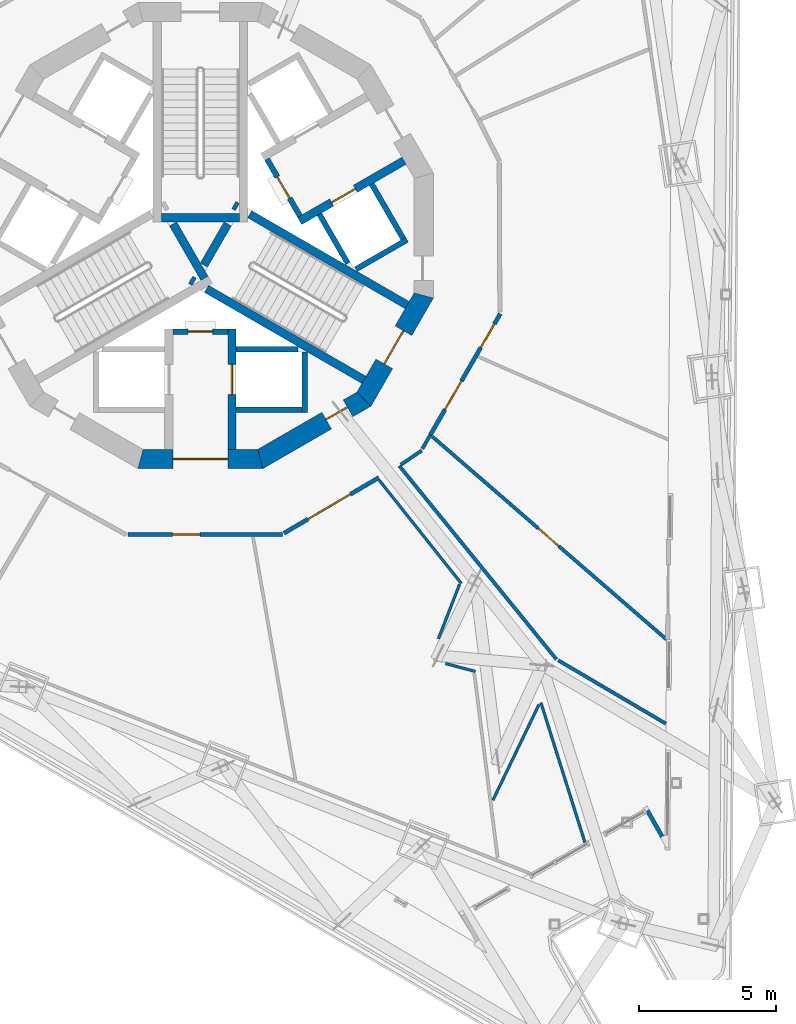
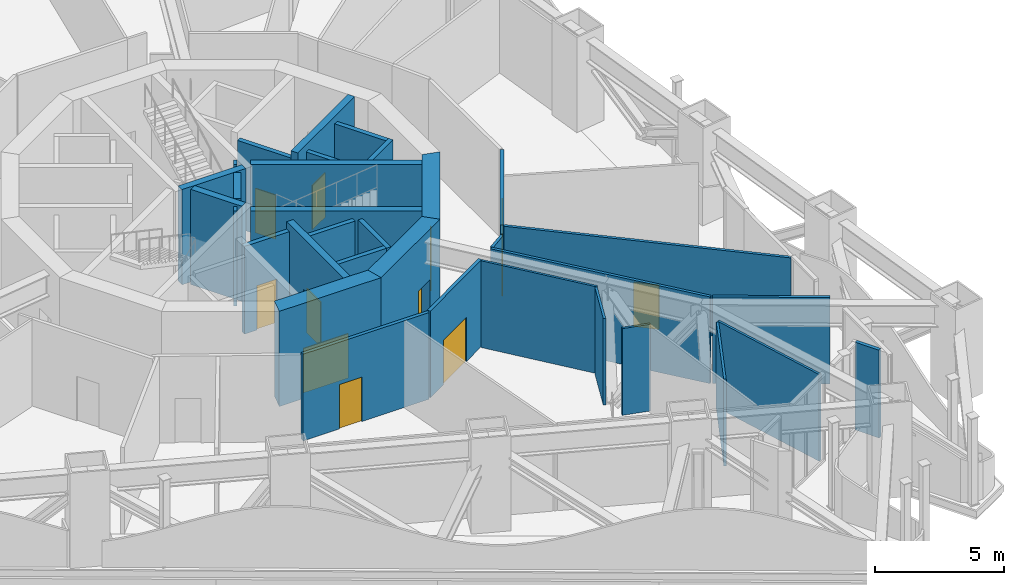
# One storey, part 13 of 27: 34 walls, 12 doors, 12 openings.
"""IFC4 building model written with IfcOpenShell, lengths in metres."""

from ifc_helpers import new_model, si_unit, direction, frame, frame_2d, origin, place, context, subcontext, project, spatial, polyline, rectangle, outline, extrude, material, layer, layer_set, type_object, element, fill, save


model = new_model("IFC4")

# Units and contexts
model_context = context("Model", 3, precision=1e-05, world=origin(), true_north=direction((0.0, 1.0)))
body_context = subcontext(model_context, "Body", "Model", "MODEL_VIEW")
ifc_project = project(units=[si_unit("LENGTHUNIT", "METRE"), si_unit("AREAUNIT", "SQUARE_METRE"), si_unit("VOLUMEUNIT", "CUBIC_METRE"), si_unit("PLANEANGLEUNIT", "RADIAN"), si_unit("MASSUNIT", "GRAM", prefix="KILO")], contexts=[model_context])

# Site, building, storey
site_placement = place(None, origin())
site = spatial("IfcSite", under=ifc_project, at=site_placement, CompositionType="ELEMENT")
building_placement = place(site_placement, origin())
building = spatial("IfcBuilding", under=site, at=building_placement, Name="Trine Commons Tower", CompositionType="ELEMENT")
storey_placement = place(building_placement, frame((0.0, 0.0, 193.5)))
storey = spatial("IfcBuildingStorey", under=building, at=storey_placement, Name="L50", CompositionType="ELEMENT", Elevation=193.5)

# Wall, opening, door
ifc_material_1 = material(Name="Plasterboard on steel stud", Category="steel")
ifc_layer_1 = layer(ifc_material_1, 0.14990234375)
ifc_layer_set_1 = layer_set([ifc_layer_1], Name="Plasterboard on steel stud")
wall_type_1 = type_object("IfcWallType", Name="Compartment wall 150 mm, EI 60", PredefinedType="PARTITIONING", material=ifc_layer_set_1)
wall_1_placement = place(storey_placement, frame((77.359130859375, 51.599853515625, 0.0), z_axis=(0.0, 0.0, 1.0), x_axis=(1.0, 0.0, 0.0)))
wall_1 = element("IfcWall", 1, at=wall_1_placement, inside=storey, type_object=wall_type_1, Name="Partition A50024", PredefinedType="PARTITIONING", context=body_context, shape_type="SweptSolid", body=[
    extrude(rectangle(XDim=5.636474609375, YDim=0.14990234375, at=frame_2d((2.818359375, 0.0))), origin(), (0.0, 0.0, 1.0), 4.10009765625),
])
opening_1_placement = place(wall_1_placement, frame((1.63232421875, 0.0, 0.0)))
opening_1 = element("IfcOpeningElement", 2, at=opening_1_placement, cuts=wall_1, Name="Opening D-A5006", PredefinedType="OPENING", context=body_context, shape_type="SweptSolid", body=[
    extrude(rectangle(XDim=1.0, YDim=2.10009765625, at=frame_2d((0.5, 1.050048828125))), frame((0.0, 0.0849609375, 0.0), z_axis=(0.0, -1.0, 0.0), x_axis=(1.0, 0.0, 0.0)), (0.0, 0.0, 1.0), 0.169921875),
])
ifc_material_2 = material(Name="Timber fire door set", Category="wood")
door_type_1 = type_object("IfcDoorType", Name="Single swing door 1000x2100, FD30S", OperationType="SINGLE_SWING_LEFT", PredefinedType="DOOR", material=ifc_material_2)
door_1_placement = place(opening_1_placement, origin())
door_1 = element("IfcDoor", 3, at=door_1_placement, inside=storey, type_object=door_type_1, Name="Door D-A5006", OperationType="SINGLE_SWING_LEFT", OverallHeight=2.10009765625, OverallWidth=1.0, PredefinedType="DOOR", context=body_context, shape_type="SweptSolid", body=[
    extrude(rectangle(XDim=1.0, YDim=2.10009765625, at=frame_2d((0.5, 1.050048828125))), frame((0.0, 0.02490234375, 0.0), z_axis=(0.0, -1.0, 0.0), x_axis=(1.0, 0.0, 0.0)), (0.0, 0.0, 1.0), 0.050048828125),
])
fill(opening_1, door_1)

wall_2_placement = place(storey_placement, frame((83.04931640625, 51.644775390625, 0.0), z_axis=(0.0, 0.0, 1.0), x_axis=(0.862832544364, 0.505489861804, 0.0)))
wall_2 = element("IfcWall", 4, at=wall_2_placement, inside=storey, type_object=wall_type_1, Name="Partition A50030", PredefinedType="PARTITIONING", context=body_context, shape_type="SweptSolid", body=[
    extrude(rectangle(XDim=4.01123046875, YDim=0.14990234375, at=frame_2d((2.005615234375, 0.0))), origin(), (0.0, 0.0, 1.0), 4.10009765625),
])
opening_2_placement = place(wall_2_placement, frame((1.013671875, 0.0, 0.0)))
opening_2 = element("IfcOpeningElement", 5, at=opening_2_placement, cuts=wall_2, Name="Opening D-A5008", PredefinedType="OPENING", context=body_context, shape_type="SweptSolid", body=[
    extrude(rectangle(XDim=1.800048828125, YDim=2.10009765625, at=frame_2d((0.89990234375, 1.050048828125))), frame((0.0, 0.0849609375, 0.0), z_axis=(0.0, -1.0, 0.0), x_axis=(1.0, 0.0, 0.0)), (0.0, 0.0, 1.0), 0.169921875),
])
door_type_2 = type_object("IfcDoorType", Name="Double swing door 1800x2100, FD30S", OperationType="DOUBLE_DOOR_DOUBLE_SWING", PredefinedType="DOOR", material=ifc_material_2)
door_2_placement = place(opening_2_placement, origin())
door_2 = element("IfcDoor", 6, at=door_2_placement, inside=storey, type_object=door_type_2, Name="Door D-A5008", OperationType="DOUBLE_DOOR_DOUBLE_SWING", OverallHeight=2.10009765625, OverallWidth=1.800048828125, PredefinedType="DOOR", context=body_context, shape_type="SweptSolid", body=[
    extrude(rectangle(XDim=1.800048828125, YDim=2.10009765625, at=frame_2d((0.89990234375, 1.050048828125))), frame((0.0, 0.02490234375, 0.0), z_axis=(0.0, -1.0, 0.0), x_axis=(1.0, 0.0, 0.0)), (0.0, 0.0, 1.0), 0.050048828125),
])
fill(opening_2, door_2)

# Wall, openings, doors
wall_3_placement = place(storey_placement, frame((90.937744140625, 59.644287109375, 0.0), z_axis=(0.0, 0.0, 1.0), x_axis=(-0.500023778256, -0.866011674967, 0.0)))
wall_3 = element("IfcWall", 7, at=wall_3_placement, inside=storey, type_object=wall_type_1, Name="Partition A50044", PredefinedType="PARTITIONING", context=body_context, shape_type="SweptSolid", body=[
    extrude(rectangle(XDim=5.096435546875, YDim=0.14990234375, at=frame_2d((2.54833984375, 0.0))), origin(), (0.0, 0.0, 1.0), 4.10009765625),
])
opening_3_placement = place(wall_3_placement, frame((2.830322265625, 0.0, 0.0)))
opening_3 = element("IfcOpeningElement", 8, at=opening_3_placement, cuts=wall_3, Name="Opening D-A5011", PredefinedType="OPENING", context=body_context, shape_type="SweptSolid", body=[
    extrude(rectangle(XDim=1.199951171875, YDim=2.10009765625, at=frame_2d((0.60009765625, 1.050048828125))), frame((0.0, 0.0849609375, 0.0), z_axis=(0.0, -1.0, 0.0), x_axis=(1.0, 0.0, 0.0)), (0.0, 0.0, 1.0), 0.169921875),
])
opening_4_placement = place(wall_3_placement, frame((0.419921875, 0.0, 0.0)))
opening_4 = element("IfcOpeningElement", 9, at=opening_4_placement, cuts=wall_3, Name="Opening D-A5012", PredefinedType="OPENING", context=body_context, shape_type="SweptSolid", body=[
    extrude(rectangle(XDim=1.0, YDim=2.10009765625, at=frame_2d((0.5, 1.050048828125))), frame((0.0, 0.0849609375, 0.0), z_axis=(0.0, -1.0, 0.0), x_axis=(1.0, 0.0, 0.0)), (0.0, 0.0, 1.0), 0.169921875),
])
door_3_placement = place(opening_4_placement, origin())
door_3 = element("IfcDoor", 10, at=door_3_placement, inside=storey, type_object=door_type_1, Name="Door D-A5012", OperationType="SINGLE_SWING_LEFT", OverallHeight=2.10009765625, OverallWidth=1.0, PredefinedType="DOOR", context=body_context, shape_type="SweptSolid", body=[
    extrude(rectangle(XDim=1.0, YDim=2.10009765625, at=frame_2d((0.5, 1.050048828125))), frame((0.0, 0.02490234375, 0.0), z_axis=(0.0, -1.0, 0.0), x_axis=(1.0, 0.0, 0.0)), (0.0, 0.0, 1.0), 0.050048828125),
])
fill(opening_4, door_3)
door_type_3 = type_object("IfcDoorType", Name="Single swing door 1200x2100, FD30S", OperationType="SINGLE_SWING_LEFT", PredefinedType="DOOR", material=ifc_material_2)
door_4_placement = place(opening_3_placement, origin())
door_4 = element("IfcDoor", 11, at=door_4_placement, inside=storey, type_object=door_type_3, Name="Door D-A5011", OperationType="SINGLE_SWING_LEFT", OverallHeight=2.10009765625, OverallWidth=1.199951171875, PredefinedType="DOOR", context=body_context, shape_type="SweptSolid", body=[
    extrude(rectangle(XDim=1.199951171875, YDim=2.10009765625, at=frame_2d((0.60009765625, 1.050048828125))), frame((0.0, 0.02490234375, 0.0), z_axis=(0.0, -1.0, 0.0), x_axis=(1.0, 0.0, 0.0)), (0.0, 0.0, 1.0), 0.050048828125),
])
fill(opening_3, door_4)

# Wall
ifc_material_3 = material(Name="Aluminium-framed insulated wall panel", Category="aluminium")
ifc_layer_2 = layer(ifc_material_3, 0.14990234375)
ifc_layer_set_2 = layer_set([ifc_layer_2], Name="Aluminium-framed insulated wall panel")
wall_type_2 = type_object("IfcWallType", Name="Glazed frame wall 150, EI 60", PredefinedType="SOLIDWALL", material=ifc_layer_set_2)
wall_4_placement = place(storey_placement, frame((96.91552734375, 40.450927734375, 0.0), z_axis=(0.0, 0.0, 1.0), x_axis=(-0.492439994984, 0.870346397327, 0.0)))
element("IfcWall", 12, at=wall_4_placement, inside=storey, type_object=wall_type_2, Name="Glazed frame wall L50 R9", PredefinedType="SOLIDWALL", context=body_context, shape_type="SweptSolid", body=[
    extrude(outline(polyline([(0.1494140625, 0.074951171875), (0.1494140625, -0.074951171875), (1.235107421875, -0.074951171875), (1.235107421875, 0.074951171875), (0.1494140625, 0.074951171875)])), origin(), (0.0, 0.0, 1.0), 4.14990234375),
])

# Wall, opening, door
ifc_material_4 = material(Name="Fire-rated gypsum shaft wall system")
ifc_layer_3 = layer(ifc_material_4, 0.199951171875)
ifc_layer_set_3 = layer_set([ifc_layer_3], Name="Fire-rated gypsum shaft wall system")
wall_type_3 = type_object("IfcWallType", Name="Lobby end wall 200 mm, EI 120", PredefinedType="PARTITIONING", material=ifc_layer_set_3)
wall_5_placement = place(storey_placement, frame((79.0, 59.0, 0.0), z_axis=(0.0, 0.0, 1.0), x_axis=(1.0, 0.0, 0.0)))
wall_5 = element("IfcWall", 13, at=wall_5_placement, inside=storey, type_object=wall_type_3, Name="Lobby end wall L50", PredefinedType="PARTITIONING", context=body_context, shape_type="SweptSolid", body=[
    extrude(rectangle(XDim=2.0, YDim=0.199951171875, at=frame_2d((1.0, 0.0))), origin(), (0.0, 0.0, 1.0), 4.14990234375),
])
opening_5_placement = place(wall_5_placement, frame((0.550048828125, 0.0, 0.0)))
opening_5 = element("IfcOpeningElement", 14, at=opening_5_placement, cuts=wall_5, Name="Opening K14.09", PredefinedType="OPENING", context=body_context, shape_type="SweptSolid", body=[
    extrude(rectangle(XDim=0.89990234375, YDim=2.10009765625, at=frame_2d((0.449951171875, 1.050048828125))), frame((0.0, 0.10986328125, 0.0), z_axis=(0.0, -1.0, 0.0), x_axis=(1.0, 0.0, 0.0)), (0.0, 0.0, 1.0), 0.219970703125),
])
ifc_material_5 = material(Name="Steel door leaf, fire-rated", Category="steel")
door_type_4 = type_object("IfcDoorType", Name="Riser access door, single leaf 900 x 2100, FD60", OperationType="SINGLE_SWING_LEFT", PredefinedType="DOOR", material=ifc_material_5)
door_5_placement = place(opening_5_placement, frame((0.89990234375, 0.0, 0.0), z_axis=(0.0, 0.0, 1.0), x_axis=(-1.0, 0.0, 0.0)))
door_5 = element("IfcDoor", 15, at=door_5_placement, inside=storey, type_object=door_type_4, Name="Riser door, Communications riser L50", OperationType="SINGLE_SWING_RIGHT", OverallHeight=2.10009765625, OverallWidth=0.89990234375, PredefinedType="DOOR", context=body_context, shape_type="SweptSolid", body=[
    extrude(rectangle(XDim=0.89990234375, YDim=2.10009765625, at=frame_2d((0.449951171875, 1.050048828125))), frame((0.0, 0.02490234375, 0.0), z_axis=(0.0, -1.0, 0.0), x_axis=(1.0, 0.0, 0.0)), (0.0, 0.0, 1.0), 0.050048828125),
])
fill(opening_5, door_5)

wall_6_placement = place(storey_placement, frame((83.631103515625, 63.2109375, 0.0), z_axis=(0.0, 0.0, 1.0), x_axis=(-0.50012165622, 0.865955154139, 0.0)))
wall_6 = element("IfcWall", 16, at=wall_6_placement, inside=storey, type_object=wall_type_3, Name="Lobby end wall L50", PredefinedType="PARTITIONING", context=body_context, shape_type="SweptSolid", body=[
    extrude(rectangle(XDim=2.39990234375, YDim=0.199951171875, at=frame_2d((1.199951171875, 0.0))), origin(), (0.0, 0.0, 1.0), 4.14990234375),
])
opening_6_placement = place(wall_6_placement, frame((0.749755859375, 0.0, 0.0)))
opening_6 = element("IfcOpeningElement", 17, at=opening_6_placement, cuts=wall_6, Name="Opening K14.05", PredefinedType="OPENING", context=body_context, shape_type="SweptSolid", body=[
    extrude(rectangle(XDim=0.89990234375, YDim=2.10009765625, at=frame_2d((0.449951171875, 1.050048828125))), frame((0.0, 0.10986328125, 0.0), z_axis=(0.0, -1.0, 0.0), x_axis=(1.0, 0.0, 0.0)), (0.0, 0.0, 1.0), 0.219970703125),
])
door_6_placement = place(opening_6_placement, frame((0.89990234375, 0.0, 0.0), z_axis=(0.0, 0.0, 1.0), x_axis=(-1.0, 0.0, 0.0)))
door_6 = element("IfcDoor", 18, at=door_6_placement, inside=storey, type_object=door_type_4, Name="Riser door, Electrical riser L50", OperationType="SINGLE_SWING_LEFT", OverallHeight=2.10009765625, OverallWidth=0.89990234375, PredefinedType="DOOR", context=body_context, shape_type="SweptSolid", body=[
    extrude(rectangle(XDim=0.89990234375, YDim=2.10009765625, at=frame_2d((0.449951171875, 1.050048828125))), frame((0.0, 0.02490234375, 0.0), z_axis=(0.0, -1.0, 0.0), x_axis=(1.0, 0.0, 0.0)), (0.0, 0.0, 1.0), 0.050048828125),
])
fill(opening_6, door_6)

# Walls
ifc_layer_4 = layer(ifc_material_1, 0.10009765625)
ifc_layer_set_4 = layer_set([ifc_layer_4], Name="Plasterboard on steel stud")
wall_type_4 = type_object("IfcWallType", Name="Partition wall 100 mm stud, not rated", PredefinedType="PARTITIONING", material=ifc_layer_set_4)
wall_7_placement = place(storey_placement, frame((86.52001953125, 53.580322265625, 0.0), z_axis=(0.0, 0.0, 1.0), x_axis=(0.622511576867, -0.782610590694, 0.0)))
element("IfcWall", 19, at=wall_7_placement, inside=storey, type_object=wall_type_4, Name="Partition A50036", PredefinedType="PARTITIONING", context=body_context, shape_type="SweptSolid", body=[
    extrude(rectangle(XDim=4.81884765625, YDim=0.10009765625, at=frame_2d((2.409423828125, 0.0))), origin(), (0.0, 0.0, 1.0), 4.10009765625),
])
wall_8_placement = place(storey_placement, frame((88.682861328125, 47.79248046875, 0.0), z_axis=(0.0, 0.0, 1.0), x_axis=(0.362042364374, 0.932161641776, 0.0)))
element("IfcWall", 20, at=wall_8_placement, inside=storey, type_object=wall_type_4, Name="Partition A50042", PredefinedType="PARTITIONING", context=body_context, shape_type="SweptSolid", body=[
    extrude(rectangle(XDim=2.129638671875, YDim=0.10009765625, at=frame_2d((1.06494140625, 0.0))), origin(), (0.0, 0.0, 1.0), 4.10009765625),
])
wall_9_placement = place(storey_placement, frame((88.9404296875, 46.889892578125, 0.0), z_axis=(0.0, 0.0, 1.0), x_axis=(0.966852929398, -0.255333924333, 0.0)))
element("IfcWall", 21, at=wall_9_placement, inside=storey, type_object=wall_type_4, Name="Partition A50050", PredefinedType="PARTITIONING", context=body_context, shape_type="SweptSolid", body=[
    extrude(rectangle(XDim=1.129150390625, YDim=0.10009765625, at=frame_2d((0.564453125, 0.0))), origin(), (0.0, 0.0, 1.0), 4.10009765625),
])
wall_10_placement = place(storey_placement, frame((90.669189453125, 41.90234375, 0.0), z_axis=(0.0, 0.0, 1.0), x_axis=(0.433923470881, 0.900949733014, 0.0)))
element("IfcWall", 22, at=wall_10_placement, inside=storey, type_object=wall_type_4, Name="Partition A50059", PredefinedType="PARTITIONING", context=body_context, shape_type="SweptSolid", body=[
    extrude(rectangle(XDim=3.87939453125, YDim=0.10009765625, at=frame_2d((1.939697265625, 0.0))), origin(), (0.0, 0.0, 1.0), 4.10009765625),
])
wall_11_placement = place(storey_placement, frame((92.4228515625, 45.45849609375, 0.0), z_axis=(0.0, 0.0, 1.0), x_axis=(0.300330546128, -0.95383518653, 0.0)))
element("IfcWall", 23, at=wall_11_placement, inside=storey, type_object=wall_type_4, Name="Partition A50060", PredefinedType="PARTITIONING", context=body_context, shape_type="SweptSolid", body=[
    extrude(rectangle(XDim=5.3408203125, YDim=0.10009765625, at=frame_2d((2.67041015625, 0.0))), origin(), (0.0, 0.0, 1.0), 4.10009765625),
])

# Wall, opening, door
ifc_material_6 = material(Name="Concrete C60/75", Category="concrete")
ifc_layer_5 = layer(ifc_material_6, 0.300048828125)
ifc_layer_set_5 = layer_set([ifc_layer_5], Name="Concrete C60/75")
wall_type_5 = type_object("IfcWallType", Name="RC shear wall 300 mm, C60/75", PredefinedType="SHEAR", material=ifc_layer_set_5)
wall_12_placement = place(storey_placement, frame((81.14990234375, 59.10009765625, 0.0), z_axis=(0.0, 0.0, 1.0), x_axis=(0.0, -1.0, 0.0)))
wall_12 = element("IfcWall", 24, at=wall_12_placement, inside=storey, type_object=wall_type_5, Name="Core cross wall SWC-04 L50", PredefinedType="SHEAR", context=body_context, shape_type="SweptSolid", body=[
    extrude(rectangle(XDim=4.400146484375, YDim=0.300048828125, at=frame_2d((2.2001953125, 0.0))), origin(), (0.0, 0.0, 1.0), 4.5),
])
opening_7_placement = place(wall_12_placement, frame((1.300048828125, 0.0, 0.0)))
opening_7 = element("IfcOpeningElement", 25, at=opening_7_placement, cuts=wall_12, Name="Opening LD9", PredefinedType="OPENING", context=body_context, shape_type="SweptSolid", body=[
    extrude(rectangle(XDim=1.10009765625, YDim=2.10009765625, at=frame_2d((0.550048828125, 1.050048828125))), frame((0.0, 0.159912109375, 0.0), z_axis=(0.0, -1.0, 0.0), x_axis=(1.0, 0.0, 0.0)), (0.0, 0.0, 1.0), 0.320068359375),
])
ifc_material_7 = material(Name="Stainless steel sliding door leaves", Category="steel")
door_type_5 = type_object("IfcDoorType", Name="Lift landing door, centre-opening sliding 1100 x 2100, FD90", OperationType="DOUBLE_DOOR_SLIDING", PredefinedType="DOOR", material=ifc_material_7)
door_7_placement = place(opening_7_placement, origin())
door_7 = element("IfcDoor", 26, at=door_7_placement, inside=storey, type_object=door_type_5, Name="Lift landing door FF1 L50", OperationType="DOUBLE_DOOR_SLIDING", OverallHeight=2.10009765625, OverallWidth=1.10009765625, PredefinedType="DOOR", context=body_context, shape_type="SweptSolid", body=[
    extrude(rectangle(XDim=1.10009765625, YDim=2.10009765625, at=frame_2d((0.550048828125, 1.050048828125))), frame((0.0, 0.02490234375, 0.0), z_axis=(0.0, -1.0, 0.0), x_axis=(1.0, 0.0, 0.0)), (0.0, 0.0, 1.0), 0.050048828125),
])
fill(opening_7, door_7)

wall_13_placement = place(storey_placement, frame((83.618896484375, 63.031005859375, 0.0), z_axis=(0.0, 0.0, 1.0), x_axis=(0.866059941101, 0.499940174841, 0.0)))
wall_13 = element("IfcWall", 27, at=wall_13_placement, inside=storey, type_object=wall_type_5, Name="Core cross wall SWC-06 L50", PredefinedType="SHEAR", context=body_context, shape_type="SweptSolid", body=[
    extrude(rectangle(XDim=4.400390625, YDim=0.300048828125, at=frame_2d((2.2001953125, 0.0))), origin(), (0.0, 0.0, 1.0), 4.5),
])
opening_8_placement = place(wall_13_placement, frame((1.350341796875, 0.0, 0.0)))
opening_8 = element("IfcOpeningElement", 28, at=opening_8_placement, cuts=wall_13, Name="Opening LD6", PredefinedType="OPENING", context=body_context, shape_type="SweptSolid", body=[
    extrude(rectangle(XDim=1.0, YDim=2.10009765625, at=frame_2d((0.5, 1.050048828125))), frame((0.0, 0.159912109375, 0.0), z_axis=(0.0, -1.0, 0.0), x_axis=(1.0, 0.0, 0.0)), (0.0, 0.0, 1.0), 0.320068359375),
])
door_type_6 = type_object("IfcDoorType", Name="Lift landing door, centre-opening sliding 1000 x 2100, FD90", OperationType="DOUBLE_DOOR_SLIDING", PredefinedType="DOOR", material=ifc_material_7)
door_8_placement = place(opening_8_placement, origin())
door_8 = element("IfcDoor", 29, at=door_8_placement, inside=storey, type_object=door_type_6, Name="Lift landing door HR2 L50", OperationType="DOUBLE_DOOR_SLIDING", OverallHeight=2.10009765625, OverallWidth=1.0, PredefinedType="DOOR", context=body_context, shape_type="SweptSolid", body=[
    extrude(rectangle(XDim=1.0, YDim=2.10009765625, at=frame_2d((0.5, 1.050048828125))), frame((0.0, 0.02490234375, 0.0), z_axis=(0.0, -1.0, 0.0), x_axis=(1.0, 0.0, 0.0)), (0.0, 0.0, 1.0), 0.050048828125),
])
fill(opening_8, door_8)

# Walls
wall_14_placement = place(storey_placement, frame((79.0029296875, 62.926025390625, 0.0), z_axis=(0.0, 0.0, 1.0), x_axis=(0.499965247104, -0.866045467449, 0.0)))
element("IfcWall", 30, at=wall_14_placement, inside=storey, type_object=wall_type_5, Name="Core cross wall SWC-10 L50", PredefinedType="SHEAR", context=body_context, shape_type="SweptSolid", body=[
    extrude(rectangle(XDim=2.292236328125, YDim=0.300048828125, at=frame_2d((1.14599609375, 0.0))), origin(), (0.0, 0.0, 1.0), 4.5),
])
wall_15_placement = place(storey_placement, frame((79.64599609375, 60.885986328125, 0.0), z_axis=(0.0, 0.0, 1.0), x_axis=(0.867331893649, -0.497730234424, 0.0)))
element("IfcWall", 31, at=wall_15_placement, inside=storey, type_object=wall_type_5, Name="Core cross wall SWC-11 L50", PredefinedType="SHEAR", context=body_context, shape_type="SweptSolid", body=[
    extrude(rectangle(XDim=0.148681640625, YDim=0.300048828125, at=frame_2d((0.07421875, 0.0))), origin(), (0.0, 0.0, 1.0), 4.5),
])
wall_16_placement = place(storey_placement, frame((80.1298828125, 61.424072265625, 0.0), z_axis=(0.0, 0.0, 1.0), x_axis=(0.500014901547, 0.866016800201, 0.0)))
element("IfcWall", 32, at=wall_16_placement, inside=storey, type_object=wall_type_5, Name="Core cross wall SWC-12 L50", PredefinedType="SHEAR", context=body_context, shape_type="SweptSolid", body=[
    extrude(rectangle(XDim=1.734375, YDim=0.300048828125, at=frame_2d((0.8671875, 0.0))), origin(), (0.0, 0.0, 1.0), 4.5),
])
wall_17_placement = place(storey_placement, frame((80.22509765625, 60.552001953125, 0.0), z_axis=(0.0, 0.0, 1.0), x_axis=(0.866009627307, -0.500027324665, 0.0)))
element("IfcWall", 33, at=wall_17_placement, inside=storey, type_object=wall_type_5, Name="Core cross wall SWC-13 L50", PredefinedType="SHEAR", context=body_context, shape_type="SweptSolid", body=[
    extrude(rectangle(XDim=6.631591796875, YDim=0.300048828125, at=frame_2d((3.31591796875, 0.0))), origin(), (0.0, 0.0, 1.0), 4.5),
])
wall_18_placement = place(storey_placement, frame((81.220947265625, 63.614013671875, 0.0), z_axis=(0.0, 0.0, 1.0), x_axis=(0.867737973955, -0.497021939713, 0.0)))
element("IfcWall", 34, at=wall_18_placement, inside=storey, type_object=wall_type_5, Name="Core cross wall SWC-15 L50", PredefinedType="SHEAR", context=body_context, shape_type="SweptSolid", body=[
    extrude(rectangle(XDim=0.14892578125, YDim=0.300048828125, at=frame_2d((0.074462890625, 0.0))), origin(), (0.0, 0.0, 1.0), 4.5),
])
wall_19_placement = place(storey_placement, frame((81.425048828125, 63.15087890625, 0.0), z_axis=(0.0, 0.0, 1.0), x_axis=(-1.0, 0.0, 0.0)))
element("IfcWall", 35, at=wall_19_placement, inside=storey, type_object=wall_type_5, Name="Core cross wall SWC-16 L50", PredefinedType="SHEAR", context=body_context, shape_type="SweptSolid", body=[
    extrude(rectangle(XDim=2.85009765625, YDim=0.300048828125, at=frame_2d((1.425048828125, 0.0))), origin(), (0.0, 0.0, 1.0), 4.5),
])
wall_20_placement = place(storey_placement, frame((81.800048828125, 63.280029296875, 0.0), z_axis=(0.0, 0.0, 1.0), x_axis=(0.866009627307, -0.500027324665, 0.0)))
element("IfcWall", 36, at=wall_20_placement, inside=storey, type_object=wall_type_5, Name="Core cross wall SWC-18 L50", PredefinedType="SHEAR", context=body_context, shape_type="SweptSolid", body=[
    extrude(rectangle(XDim=6.631591796875, YDim=0.300048828125, at=frame_2d((3.31591796875, 0.0))), origin(), (0.0, 0.0, 1.0), 4.5),
])

# Wall, opening, door
ifc_layer_6 = layer(ifc_material_6, 0.699951171875)
ifc_layer_set_6 = layer_set([ifc_layer_6], Name="Concrete C60/75")
wall_type_6 = type_object("IfcWallType", Name="RC shear wall 700 mm, C60/75", PredefinedType="SHEAR", material=ifc_layer_set_6)
wall_21_placement = place(storey_placement, frame((77.722412109375, 54.349853515625, 0.0), z_axis=(0.0, 0.0, 1.0), x_axis=(1.0, 0.0, 0.0)))
wall_21 = element("IfcWall", 37, at=wall_21_placement, inside=storey, type_object=wall_type_6, Name="Core wall CWF-10 L50", PredefinedType="SHEAR", context=body_context, shape_type="SweptSolid", body=[
    extrude(outline(polyline([(0.0, -0.35009765625), (4.55517578125, -0.35009765625), (4.36767578125, 0.35009765625), (0.1875, 0.35009765625), (0.0, -0.35009765625)])), origin(), (0.0, 0.0, 1.0), 4.5),
])
opening_9_placement = place(wall_21_placement, frame((1.277587890625, 0.0, 0.0)))
opening_9 = element("IfcOpeningElement", 38, at=opening_9_placement, cuts=wall_21, Name="Opening K14.08", PredefinedType="OPENING", context=body_context, shape_type="SweptSolid", body=[
    extrude(rectangle(XDim=2.0, YDim=2.10009765625, at=frame_2d((1.0, 1.050048828125))), frame((0.0, 0.35986328125, 0.0), z_axis=(0.0, -1.0, 0.0), x_axis=(1.0, 0.0, 0.0)), (0.0, 0.0, 1.0), 0.719970703125),
])
ifc_material_8 = material(Name="Steel door leaves, fire-rated", Category="steel")
door_type_7 = type_object("IfcDoorType", Name="Lobby door, double leaf 2000 x 2100, FD60", OperationType="DOUBLE_DOOR_SINGLE_SWING", PredefinedType="DOOR", material=ifc_material_8)
door_9_placement = place(opening_9_placement, origin())
door_9 = element("IfcDoor", 39, at=door_9_placement, inside=storey, type_object=door_type_7, Name="Lobby door, Service and firefighting lobby L50", OperationType="DOUBLE_DOOR_SINGLE_SWING", OverallHeight=2.10009765625, OverallWidth=2.0, PredefinedType="DOOR", context=body_context, shape_type="SweptSolid", body=[
    extrude(rectangle(XDim=2.0, YDim=2.10009765625, at=frame_2d((1.0, 1.050048828125))), frame((0.0, 0.02490234375, 0.0), z_axis=(0.0, -1.0, 0.0), x_axis=(1.0, 0.0, 0.0)), (0.0, 0.0, 1.0), 0.050048828125),
])
fill(opening_9, door_9)

wall_22_placement = place(storey_placement, frame((82.1025390625, 54.302978515625, 0.0), z_axis=(0.0, 0.0, 1.0), x_axis=(0.866034756103, 0.499983800959, 0.0)))
wall_22 = element("IfcWall", 40, at=wall_22_placement, inside=storey, type_object=wall_type_6, Name="Core wall CWF-11 L50", PredefinedType="SHEAR", context=body_context, shape_type="SweptSolid", body=[
    extrude(outline(polyline([(0.0, -0.35009765625), (4.55517578125, -0.35009765625), (4.36767578125, 0.35009765625), (0.1875, 0.35009765625), (0.0, -0.35009765625)])), origin(), (0.0, 0.0, 1.0), 4.5),
])
opening_10_placement = place(wall_22_placement, frame((2.891845703125, 0.0, 0.0)))
opening_10 = element("IfcOpeningElement", 41, at=opening_10_placement, cuts=wall_22, Name="Opening K14.14", PredefinedType="OPENING", context=body_context, shape_type="SweptSolid", body=[
    extrude(rectangle(XDim=0.89990234375, YDim=2.10009765625, at=frame_2d((0.449951171875, 1.050048828125))), frame((0.0, 0.35986328125, 0.0), z_axis=(0.0, -1.0, 0.0), x_axis=(1.0, 0.0, 0.0)), (0.0, 0.0, 1.0), 0.719970703125),
])
door_type_8 = type_object("IfcDoorType", Name="Core room door, single leaf 900 x 2100, FD30S", OperationType="SINGLE_SWING_LEFT", PredefinedType="DOOR", material=ifc_material_5)
door_10_placement = place(opening_10_placement, origin())
door_10 = element("IfcDoor", 42, at=door_10_placement, inside=storey, type_object=door_type_8, Name="Door to Core WC L50", OperationType="SINGLE_SWING_RIGHT", OverallHeight=2.10009765625, OverallWidth=0.89990234375, PredefinedType="DOOR", context=body_context, shape_type="SweptSolid", body=[
    extrude(rectangle(XDim=0.89990234375, YDim=2.10009765625, at=frame_2d((0.449951171875, 1.050048828125))), frame((0.0, 0.0751953125, 0.0), z_axis=(0.0, -1.0, 0.0), x_axis=(1.0, 0.0, 0.0)), (0.0, 0.0, 1.0), 0.050048828125),
])
fill(opening_10, door_10)

wall_23_placement = place(storey_placement, frame((85.91943359375, 56.452392578125, 0.0), z_axis=(0.0, 0.0, 1.0), x_axis=(0.499983800959, 0.866034756103, 0.0)))
wall_23 = element("IfcWall", 43, at=wall_23_placement, inside=storey, type_object=wall_type_6, Name="Core wall CWF-12 L50", PredefinedType="SHEAR", context=body_context, shape_type="SweptSolid", body=[
    extrude(outline(polyline([(0.0, -0.35009765625), (4.55517578125, -0.35009765625), (4.36767578125, 0.35009765625), (0.1875, 0.35009765625), (0.0, -0.35009765625)])), origin(), (0.0, 0.0, 1.0), 4.5),
])
opening_11_placement = place(wall_23_placement, frame((1.577392578125, 0.0, 0.0)))
opening_11 = element("IfcOpeningElement", 44, at=opening_11_placement, cuts=wall_23, Name="Opening K14.03", PredefinedType="OPENING", context=body_context, shape_type="SweptSolid", body=[
    extrude(rectangle(XDim=1.39990234375, YDim=2.10009765625, at=frame_2d((0.699951171875, 1.050048828125))), frame((0.0, 0.35986328125, 0.0), z_axis=(0.0, -1.0, 0.0), x_axis=(1.0, 0.0, 0.0)), (0.0, 0.0, 1.0), 0.719970703125),
])
door_type_9 = type_object("IfcDoorType", Name="Stair door, double leaf 1400 x 2100, FD90", OperationType="DOUBLE_DOOR_SINGLE_SWING", PredefinedType="DOOR", material=ifc_material_8)
door_11_placement = place(opening_11_placement, origin())
door_11 = element("IfcDoor", 45, at=door_11_placement, inside=storey, type_object=door_type_9, Name="Stair door to Exit stair ST3C L50", OperationType="DOUBLE_DOOR_SINGLE_SWING", OverallHeight=2.10009765625, OverallWidth=1.39990234375, PredefinedType="DOOR", context=body_context, shape_type="SweptSolid", body=[
    extrude(rectangle(XDim=1.39990234375, YDim=2.10009765625, at=frame_2d((0.699951171875, 1.050048828125))), frame((0.0, 0.02490234375, 0.0), z_axis=(0.0, -1.0, 0.0), x_axis=(1.0, 0.0, 0.0)), (0.0, 0.0, 1.0), 0.050048828125),
])
fill(opening_11, door_11)

# Walls
ifc_layer_7 = layer(ifc_material_4, 0.199951171875)
ifc_layer_set_7 = layer_set([ifc_layer_7], Name="Fire-rated gypsum shaft wall system")
wall_type_7 = type_object("IfcWallType", Name="Shaft wall 200 mm, EI 120", PredefinedType="PARTITIONING", material=ifc_layer_set_7)
wall_24_placement = place(storey_placement, frame((81.300048828125, 56.14990234375, 0.0), z_axis=(0.0, 0.0, 1.0), x_axis=(1.0, 0.0, 0.0)))
element("IfcWall", 46, at=wall_24_placement, inside=storey, type_object=wall_type_7, Name="Shaft wall L50", PredefinedType="PARTITIONING", context=body_context, shape_type="SweptSolid", body=[
    extrude(rectangle(XDim=2.39990234375, YDim=0.199951171875, at=frame_2d((1.199951171875, 0.0))), origin(), (0.0, 0.0, 1.0), 4.14990234375),
])
wall_25_placement = place(storey_placement, frame((81.300048828125, 58.35009765625, 0.0), z_axis=(0.0, 0.0, 1.0), x_axis=(1.0, 0.0, 0.0)))
element("IfcWall", 47, at=wall_25_placement, inside=storey, type_object=wall_type_7, Name="Shaft wall L50", PredefinedType="PARTITIONING", context=body_context, shape_type="SweptSolid", body=[
    extrude(rectangle(XDim=2.264892578125, YDim=0.199951171875, at=frame_2d((1.13232421875, 0.0))), origin(), (0.0, 0.0, 1.0), 4.14990234375),
])
wall_26_placement = place(storey_placement, frame((83.800048828125, 58.257080078125, 0.0), z_axis=(0.0, 0.0, 1.0), x_axis=(0.0, -1.0, 0.0)))
element("IfcWall", 48, at=wall_26_placement, inside=storey, type_object=wall_type_7, Name="Shaft wall L50", PredefinedType="PARTITIONING", context=body_context, shape_type="SweptSolid", body=[
    extrude(rectangle(XDim=2.20703125, YDim=0.199951171875, at=frame_2d((1.103515625, 0.0))), origin(), (0.0, 0.0, 1.0), 4.14990234375),
])
wall_27_placement = place(storey_placement, frame((84.343994140625, 63.27587890625, 0.0), z_axis=(0.0, 0.0, 1.0), x_axis=(0.500271688072, -0.86586848777, 0.0)))
element("IfcWall", 49, at=wall_27_placement, inside=storey, type_object=wall_type_7, Name="Shaft wall L50", PredefinedType="PARTITIONING", context=body_context, shape_type="SweptSolid", body=[
    extrude(rectangle(XDim=2.064697265625, YDim=0.199951171875, at=frame_2d((1.0322265625, 0.0))), origin(), (0.0, 0.0, 1.0), 4.14990234375),
])
wall_28_placement = place(storey_placement, frame((85.675048828125, 61.27392578125, 0.0), z_axis=(0.0, 0.0, 1.0), x_axis=(0.866102336459, 0.499866725018, 0.0)))
element("IfcWall", 50, at=wall_28_placement, inside=storey, type_object=wall_type_7, Name="Shaft wall L50", PredefinedType="PARTITIONING", context=body_context, shape_type="SweptSolid", body=[
    extrude(rectangle(XDim=2.1484375, YDim=0.199951171875, at=frame_2d((1.07421875, 0.0))), origin(), (0.0, 0.0, 1.0), 4.14990234375),
])
wall_29_placement = place(storey_placement, frame((86.2490234375, 64.3759765625, 0.0), z_axis=(0.0, 0.0, 1.0), x_axis=(0.500136062276, -0.86594683394, 0.0)))
element("IfcWall", 51, at=wall_29_placement, inside=storey, type_object=wall_type_7, Name="Shaft wall L50", PredefinedType="PARTITIONING", context=body_context, shape_type="SweptSolid", body=[
    extrude(rectangle(XDim=2.299072265625, YDim=0.199951171875, at=frame_2d((1.1494140625, 0.0))), origin(), (0.0, 0.0, 1.0), 4.14990234375),
])
ifc_layer_8 = layer(ifc_material_1, 0.125)
ifc_layer_set_8 = layer_set([ifc_layer_8], Name="Plasterboard on steel stud")
wall_type_8 = type_object("IfcWallType", Name="Wet wall 125 mm stud, not rated", PredefinedType="PARTITIONING", material=ifc_layer_set_8)
wall_30_placement = place(storey_placement, frame((87.312744140625, 54.141357421875, 0.0), z_axis=(0.0, 0.0, 1.0), x_axis=(0.827396301486, 0.561618518469, 0.0)))
element("IfcWall", 52, at=wall_30_placement, inside=storey, type_object=wall_type_8, Name="Partition A50038", PredefinedType="PARTITIONING", context=body_context, shape_type="SweptSolid", body=[
    extrude(rectangle(XDim=0.917724609375, YDim=0.125, at=frame_2d((0.458984375, 0.0))), origin(), (0.0, 0.0, 1.0), 4.10009765625),
])
wall_31_placement = place(storey_placement, frame((87.256103515625, 54.1005859375, 0.0), z_axis=(0.0, 0.0, 1.0), x_axis=(0.630279337326, -0.776368441489, 0.0)))
element("IfcWall", 53, at=wall_31_placement, inside=storey, type_object=wall_type_8, Name="Partition A50039", PredefinedType="PARTITIONING", context=body_context, shape_type="SweptSolid", body=[
    extrude(rectangle(XDim=9.09619140625, YDim=0.125, at=frame_2d((4.548095703125, 0.0))), origin(), (0.0, 0.0, 1.0), 4.10009765625),
])
wall_32_placement = place(storey_placement, frame((88.09619140625, 54.72265625, 0.0), z_axis=(0.0, 0.0, 1.0), x_axis=(0.499986503906, 0.866033195618, 0.0)))
element("IfcWall", 54, at=wall_32_placement, inside=storey, type_object=wall_type_8, Name="Partition A50040", PredefinedType="PARTITIONING", context=body_context, shape_type="SweptSolid", body=[
    extrude(rectangle(XDim=0.5869140625, YDim=0.125, at=frame_2d((0.29345703125, 0.0))), origin(), (0.0, 0.0, 1.0), 4.10009765625),
])

# Wall, opening, door
wall_33_placement = place(storey_placement, frame((88.456298828125, 55.1728515625, 0.0), z_axis=(0.0, 0.0, 1.0), x_axis=(0.755783031869, -0.654822119922, 0.0)))
wall_33 = element("IfcWall", 55, at=wall_33_placement, inside=storey, type_object=wall_type_8, Name="Partition A50045", PredefinedType="PARTITIONING", context=body_context, shape_type="SweptSolid", body=[
    extrude(rectangle(XDim=11.317138671875, YDim=0.125, at=frame_2d((5.65869140625, 0.0))), origin(), (0.0, 0.0, 1.0), 4.10009765625),
])
opening_12_placement = place(wall_33_placement, frame((5.1142578125, 0.0, 0.0)))
opening_12 = element("IfcOpeningElement", 56, at=opening_12_placement, cuts=wall_33, Name="Opening D-A5013", PredefinedType="OPENING", context=body_context, shape_type="SweptSolid", body=[
    extrude(rectangle(XDim=1.0, YDim=2.10009765625, at=frame_2d((0.5, 1.050048828125))), frame((0.0, 0.072509765625, 0.0), z_axis=(0.0, -1.0, 0.0), x_axis=(1.0, 0.0, 0.0)), (0.0, 0.0, 1.0), 0.14501953125),
])
ifc_material_9 = material(Name="Painted timber", Category="wood")
door_type_10 = type_object("IfcDoorType", Name="Single swing door 1000x2100, not rated", OperationType="SINGLE_SWING_LEFT", PredefinedType="DOOR", material=ifc_material_9)
door_12_placement = place(opening_12_placement, origin())
door_12 = element("IfcDoor", 57, at=door_12_placement, inside=storey, type_object=door_type_10, Name="Door D-A5013", OperationType="SINGLE_SWING_LEFT", OverallHeight=2.10009765625, OverallWidth=1.0, PredefinedType="DOOR", context=body_context, shape_type="SweptSolid", body=[
    extrude(rectangle(XDim=1.0, YDim=2.10009765625, at=frame_2d((0.5, 1.050048828125))), frame((0.0, 0.02490234375, 0.0), z_axis=(0.0, -1.0, 0.0), x_axis=(1.0, 0.0, 0.0)), (0.0, 0.0, 1.0), 0.050048828125),
])
fill(opening_12, door_12)

# Wall
wall_34_placement = place(storey_placement, frame((93.05224609375, 47.008056640625, 0.0), z_axis=(0.0, 0.0, 1.0), x_axis=(0.861824046985, -0.507207365915, 0.0)))
element("IfcWall", 58, at=wall_34_placement, inside=storey, type_object=wall_type_8, Name="Partition A50061", PredefinedType="PARTITIONING", context=body_context, shape_type="SweptSolid", body=[
    extrude(rectangle(XDim=4.558349609375, YDim=0.125, at=frame_2d((2.279296875, 0.0))), origin(), (0.0, 0.0, 1.0), 4.10009765625),
])

save(model, "model.ifc")
